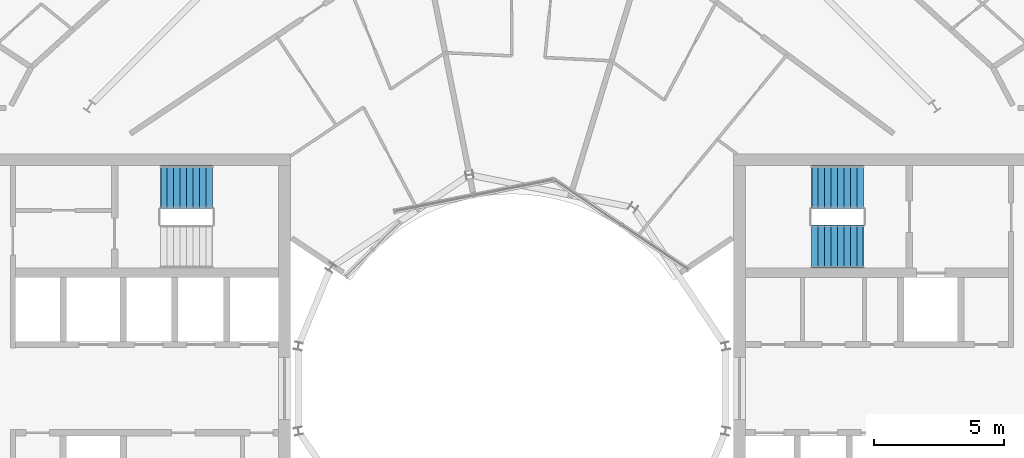
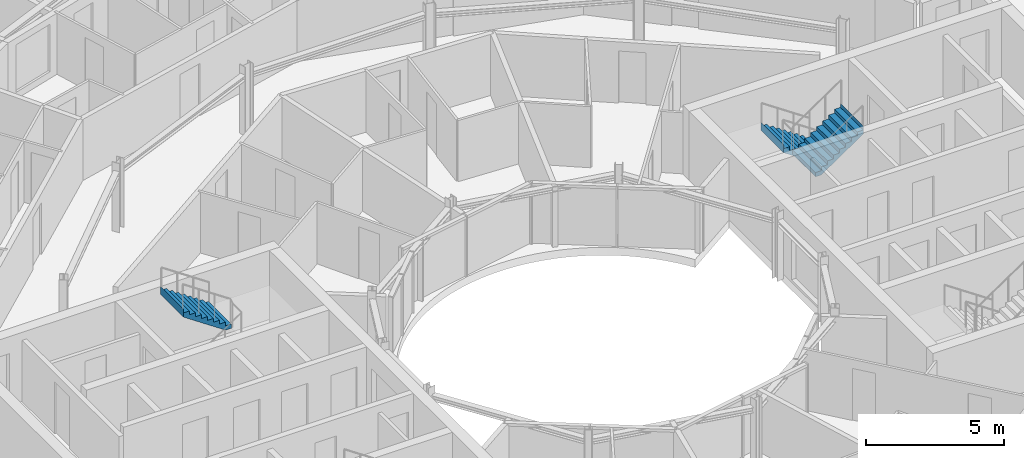
# One storey, part 27 of 29: 3 stair flights, 2 elements without a shape of their own.
"""IFC4 building model written with IfcOpenShell, lengths in metres."""

from ifc_helpers import new_model, si_unit, direction, frame, origin, place, context, subcontext, project, spatial, triangles, material, type_object, element, aggregate, save


model = new_model("IFC4")

# Units and contexts
model_context = context("Model", 3, precision=1e-05, world=origin(), true_north=direction((0.0, 1.0)))
body_context = subcontext(model_context, "Body", "Model", "MODEL_VIEW")
ifc_project = project(units=[si_unit("LENGTHUNIT", "METRE"), si_unit("AREAUNIT", "SQUARE_METRE"), si_unit("VOLUMEUNIT", "CUBIC_METRE"), si_unit("PLANEANGLEUNIT", "RADIAN"), si_unit("MASSUNIT", "GRAM", prefix="KILO")], contexts=[model_context])

# Site, building, storey
site_placement = place(None, origin())
site = spatial("IfcSite", under=ifc_project, at=site_placement, CompositionType="ELEMENT")
building_placement = place(site_placement, origin())
building = spatial("IfcBuilding", under=site, at=building_placement, Name="Maasbend Ring Residences", CompositionType="ELEMENT")
storey_placement = place(building_placement, frame((0.0, 0.0, 190.199951171875)))
storey = spatial("IfcBuildingStorey", under=building, at=storey_placement, Name="L54", CompositionType="ELEMENT", Elevation=190.199951171875)

# Stair, stair flights
ifc_material_1 = material(Name="Concrete C40/50", Category="concrete")
stair_type = type_object("IfcStairType", Name="CORE STAIR 18 RISERS", PredefinedType="HALF_TURN_STAIR", material=ifc_material_1)
stair_1_placement = place(storey_placement, origin())
stair_1 = element("IfcStair", 1, at=stair_1_placement, inside=storey, type_object=stair_type, Name="L54 Exit stair ST-E1", PredefinedType="HALF_TURN_STAIR")
ifc_material_2 = material(Name="Concrete C40/50", Category="concrete")
stair_flight_type = type_object("IfcStairFlightType", Name="CORE STAIR FLIGHT 1650", PredefinedType="STRAIGHT", material=ifc_material_2)
stair_flight_1_placement = place(storey_placement, frame((13.550048828125, 7.77490234375, 0.0), z_axis=(0.0, 0.0, 1.0), x_axis=(-1.0, 0.0, 0.0)))
stair_flight_1 = element("IfcStairFlight", 2, at=stair_flight_1_placement, type_object=stair_flight_type, Name="ST-E1 flight 1", NumberOfRisers=9, NumberOfTreads=8, PredefinedType="STRAIGHT", RiserHeight=0.169444444, TreadLength=0.25, context=body_context, shape_type="Tessellation", body=[
    triangles([(0.24072265625, 0.824951171875, -0.02001953125), (2.0029296875, 0.824951171875, 1.174560546875), (2.0029296875, 0.824951171875, 1.52490234375), (1.989990234375, 0.824951171875, 1.35546875), (1.75, 0.824951171875, 1.35546875), (1.75, 0.824951171875, 1.18603515625), (1.5, 0.824951171875, 1.18603515625), (1.5, 0.824951171875, 1.0166015625), (1.25, 0.824951171875, 1.0166015625), (1.25, 0.824951171875, 0.84716796875), (1.0, 0.824951171875, 0.84716796875), (1.0, 0.824951171875, 0.677734375), (0.75, 0.824951171875, 0.677734375), (0.75, 0.824951171875, 0.50830078125), (0.5, 0.824951171875, 0.50830078125), (0.5, 0.824951171875, 0.3388671875), (0.25, 0.824951171875, 0.3388671875), (0.25, 0.824951171875, 0.16943359375), (0.0, 0.824951171875, 0.16943359375), (0.0, 0.824951171875, 0.0), (-0.0029296875, 0.824951171875, 0.0), (-0.0029296875, 0.824951171875, -0.02001953125), (0.24072265625, 0.27490234375, -0.02001953125), (2.0029296875, 0.27490234375, 1.174560546875), (2.0029296875, 0.27490234375, 1.52490234375), (1.989990234375, 0.27490234375, 1.35546875), (1.75, 0.27490234375, 1.35546875), (1.75, 0.27490234375, 1.18603515625), (1.5, 0.27490234375, 1.18603515625), (1.5, 0.27490234375, 1.0166015625), (1.25, 0.27490234375, 1.0166015625), (1.25, 0.27490234375, 0.84716796875), (1.0, 0.27490234375, 0.84716796875), (1.0, 0.27490234375, 0.677734375), (0.75, 0.27490234375, 0.677734375), (0.75, 0.27490234375, 0.50830078125), (0.5, 0.27490234375, 0.50830078125), (0.5, 0.27490234375, 0.3388671875), (0.25, 0.27490234375, 0.3388671875), (0.25, 0.27490234375, 0.16943359375), (0.0, 0.27490234375, 0.16943359375), (0.0, 0.27490234375, 0.0), (-0.0029296875, 0.27490234375, 0.0), (-0.0029296875, 0.27490234375, -0.02001953125), (0.24072265625, -0.27490234375, -0.02001953125), (2.0029296875, -0.27490234375, 1.174560546875), (2.0029296875, -0.27490234375, 1.52490234375), (1.989990234375, -0.27490234375, 1.35546875), (1.75, -0.27490234375, 1.35546875), (1.75, -0.27490234375, 1.18603515625), (1.5, -0.27490234375, 1.18603515625), (1.5, -0.27490234375, 1.0166015625), (1.25, -0.27490234375, 1.0166015625), (1.25, -0.27490234375, 0.84716796875), (1.0, -0.27490234375, 0.84716796875), (1.0, -0.27490234375, 0.677734375), (0.75, -0.27490234375, 0.677734375), (0.75, -0.27490234375, 0.50830078125), (0.5, -0.27490234375, 0.50830078125), (0.5, -0.27490234375, 0.3388671875), (0.25, -0.27490234375, 0.3388671875), (0.25, -0.27490234375, 0.16943359375), (0.0, -0.27490234375, 0.16943359375), (0.0, -0.27490234375, 0.0), (-0.0029296875, -0.27490234375, 0.0), (-0.0029296875, -0.27490234375, -0.02001953125), (0.24072265625, -0.824951171875, -0.02001953125), (2.0029296875, -0.824951171875, 1.174560546875), (2.0029296875, -0.824951171875, 1.52490234375), (1.989990234375, -0.824951171875, 1.35546875), (1.75, -0.824951171875, 1.35546875), (1.75, -0.824951171875, 1.18603515625), (1.5, -0.824951171875, 1.18603515625), (1.5, -0.824951171875, 1.0166015625), (1.25, -0.824951171875, 1.0166015625), (1.25, -0.824951171875, 0.84716796875), (1.0, -0.824951171875, 0.84716796875), (1.0, -0.824951171875, 0.677734375), (0.75, -0.824951171875, 0.677734375), (0.75, -0.824951171875, 0.50830078125), (0.5, -0.824951171875, 0.50830078125), (0.5, -0.824951171875, 0.3388671875), (0.25, -0.824951171875, 0.3388671875), (0.25, -0.824951171875, 0.16943359375), (0.0, -0.824951171875, 0.16943359375), (0.0, -0.824951171875, 0.0), (-0.0029296875, -0.824951171875, 0.0), (-0.0029296875, -0.824951171875, -0.02001953125)], [[1, 2, 24], [1, 24, 23], [23, 24, 46], [23, 46, 45], [45, 46, 68], [45, 68, 67], [2, 3, 25], [2, 25, 24], [24, 25, 47], [24, 47, 46], [46, 47, 69], [46, 69, 68], [3, 4, 26], [3, 26, 25], [25, 26, 48], [25, 48, 47], [47, 48, 70], [47, 70, 69], [4, 5, 27], [4, 27, 26], [26, 27, 49], [26, 49, 48], [48, 49, 71], [48, 71, 70], [5, 6, 28], [5, 28, 27], [27, 28, 50], [27, 50, 49], [49, 50, 72], [49, 72, 71], [6, 7, 29], [6, 29, 28], [28, 29, 51], [28, 51, 50], [50, 51, 73], [50, 73, 72], [7, 8, 30], [7, 30, 29], [29, 30, 52], [29, 52, 51], [51, 52, 74], [51, 74, 73], [8, 9, 31], [8, 31, 30], [30, 31, 53], [30, 53, 52], [52, 53, 75], [52, 75, 74], [9, 10, 32], [9, 32, 31], [31, 32, 54], [31, 54, 53], [53, 54, 76], [53, 76, 75], [10, 11, 33], [10, 33, 32], [32, 33, 55], [32, 55, 54], [54, 55, 77], [54, 77, 76], [11, 12, 34], [11, 34, 33], [33, 34, 56], [33, 56, 55], [55, 56, 78], [55, 78, 77], [12, 13, 35], [12, 35, 34], [34, 35, 57], [34, 57, 56], [56, 57, 79], [56, 79, 78], [13, 14, 36], [13, 36, 35], [35, 36, 58], [35, 58, 57], [57, 58, 80], [57, 80, 79], [14, 15, 37], [14, 37, 36], [36, 37, 59], [36, 59, 58], [58, 59, 81], [58, 81, 80], [15, 16, 38], [15, 38, 37], [37, 38, 60], [37, 60, 59], [59, 60, 82], [59, 82, 81], [16, 17, 39], [16, 39, 38], [38, 39, 61], [38, 61, 60], [60, 61, 83], [60, 83, 82], [17, 18, 40], [17, 40, 39], [39, 40, 62], [39, 62, 61], [61, 62, 84], [61, 84, 83], [18, 19, 41], [18, 41, 40], [40, 41, 63], [40, 63, 62], [62, 63, 85], [62, 85, 84], [19, 20, 42], [19, 42, 41], [41, 42, 64], [41, 64, 63], [63, 64, 86], [63, 86, 85], [20, 21, 43], [20, 43, 42], [42, 43, 65], [42, 65, 64], [64, 65, 87], [64, 87, 86], [21, 22, 44], [21, 44, 43], [43, 44, 66], [43, 66, 65], [65, 66, 88], [65, 88, 87], [22, 1, 23], [22, 23, 44], [44, 23, 45], [44, 45, 66], [66, 45, 67], [66, 67, 88], [22, 2, 1], [2, 4, 3], [2, 5, 4], [2, 6, 5], [22, 6, 2], [6, 8, 7], [22, 8, 6], [8, 10, 9], [22, 10, 8], [10, 12, 11], [22, 12, 10], [12, 14, 13], [22, 14, 12], [14, 16, 15], [22, 16, 14], [16, 18, 17], [22, 18, 16], [18, 20, 19], [22, 20, 18], [20, 22, 21], [88, 67, 68], [68, 69, 70], [68, 70, 71], [68, 71, 72], [88, 68, 72], [72, 73, 74], [88, 72, 74], [74, 75, 76], [88, 74, 76], [76, 77, 78], [88, 76, 78], [78, 79, 80], [88, 78, 80], [80, 81, 82], [88, 80, 82], [82, 83, 84], [88, 82, 84], [84, 85, 86], [88, 84, 86], [86, 87, 88]], closed=True),
])
stair_flight_2_placement = place(storey_placement, frame((11.550048828125, 5.47509765625, 1.525146484375), z_axis=(0.0, 0.0, 1.0), x_axis=(1.0, 0.0, 0.0)))
stair_flight_2 = element("IfcStairFlight", 3, at=stair_flight_2_placement, type_object=stair_flight_type, Name="ST-E1 flight 2", NumberOfRisers=9, NumberOfTreads=8, PredefinedType="STRAIGHT", RiserHeight=0.169444444, TreadLength=0.25, context=body_context, shape_type="Tessellation", body=[
    triangles([(0.24072265625, 0.824951171875, -0.02001953125), (2.0029296875, 0.824951171875, 1.174560546875), (2.0029296875, 0.824951171875, 1.52490234375), (1.989990234375, 0.824951171875, 1.35546875), (1.75, 0.824951171875, 1.35546875), (1.75, 0.824951171875, 1.18603515625), (1.5, 0.824951171875, 1.18603515625), (1.5, 0.824951171875, 1.0166015625), (1.25, 0.824951171875, 1.0166015625), (1.25, 0.824951171875, 0.84716796875), (1.0, 0.824951171875, 0.84716796875), (1.0, 0.824951171875, 0.677734375), (0.75, 0.824951171875, 0.677734375), (0.75, 0.824951171875, 0.50830078125), (0.5, 0.824951171875, 0.50830078125), (0.5, 0.824951171875, 0.3388671875), (0.25, 0.824951171875, 0.3388671875), (0.25, 0.824951171875, 0.16943359375), (0.0, 0.824951171875, 0.16943359375), (0.0, 0.824951171875, 0.0), (-0.0029296875, 0.824951171875, 0.0), (-0.0029296875, 0.824951171875, -0.02001953125), (0.24072265625, 0.27490234375, -0.02001953125), (2.0029296875, 0.27490234375, 1.174560546875), (2.0029296875, 0.27490234375, 1.52490234375), (1.989990234375, 0.27490234375, 1.35546875), (1.75, 0.27490234375, 1.35546875), (1.75, 0.27490234375, 1.18603515625), (1.5, 0.27490234375, 1.18603515625), (1.5, 0.27490234375, 1.0166015625), (1.25, 0.27490234375, 1.0166015625), (1.25, 0.27490234375, 0.84716796875), (1.0, 0.27490234375, 0.84716796875), (1.0, 0.27490234375, 0.677734375), (0.75, 0.27490234375, 0.677734375), (0.75, 0.27490234375, 0.50830078125), (0.5, 0.27490234375, 0.50830078125), (0.5, 0.27490234375, 0.3388671875), (0.25, 0.27490234375, 0.3388671875), (0.25, 0.27490234375, 0.16943359375), (0.0, 0.27490234375, 0.16943359375), (0.0, 0.27490234375, 0.0), (-0.0029296875, 0.27490234375, 0.0), (-0.0029296875, 0.27490234375, -0.02001953125), (0.24072265625, -0.27490234375, -0.02001953125), (2.0029296875, -0.27490234375, 1.174560546875), (2.0029296875, -0.27490234375, 1.52490234375), (1.989990234375, -0.27490234375, 1.35546875), (1.75, -0.27490234375, 1.35546875), (1.75, -0.27490234375, 1.18603515625), (1.5, -0.27490234375, 1.18603515625), (1.5, -0.27490234375, 1.0166015625), (1.25, -0.27490234375, 1.0166015625), (1.25, -0.27490234375, 0.84716796875), (1.0, -0.27490234375, 0.84716796875), (1.0, -0.27490234375, 0.677734375), (0.75, -0.27490234375, 0.677734375), (0.75, -0.27490234375, 0.50830078125), (0.5, -0.27490234375, 0.50830078125), (0.5, -0.27490234375, 0.3388671875), (0.25, -0.27490234375, 0.3388671875), (0.25, -0.27490234375, 0.16943359375), (0.0, -0.27490234375, 0.16943359375), (0.0, -0.27490234375, 0.0), (-0.0029296875, -0.27490234375, 0.0), (-0.0029296875, -0.27490234375, -0.02001953125), (0.24072265625, -0.824951171875, -0.02001953125), (2.0029296875, -0.824951171875, 1.174560546875), (2.0029296875, -0.824951171875, 1.52490234375), (1.989990234375, -0.824951171875, 1.35546875), (1.75, -0.824951171875, 1.35546875), (1.75, -0.824951171875, 1.18603515625), (1.5, -0.824951171875, 1.18603515625), (1.5, -0.824951171875, 1.0166015625), (1.25, -0.824951171875, 1.0166015625), (1.25, -0.824951171875, 0.84716796875), (1.0, -0.824951171875, 0.84716796875), (1.0, -0.824951171875, 0.677734375), (0.75, -0.824951171875, 0.677734375), (0.75, -0.824951171875, 0.50830078125), (0.5, -0.824951171875, 0.50830078125), (0.5, -0.824951171875, 0.3388671875), (0.25, -0.824951171875, 0.3388671875), (0.25, -0.824951171875, 0.16943359375), (0.0, -0.824951171875, 0.16943359375), (0.0, -0.824951171875, 0.0), (-0.0029296875, -0.824951171875, 0.0), (-0.0029296875, -0.824951171875, -0.02001953125)], [[1, 2, 24], [1, 24, 23], [23, 24, 46], [23, 46, 45], [45, 46, 68], [45, 68, 67], [2, 3, 25], [2, 25, 24], [24, 25, 47], [24, 47, 46], [46, 47, 69], [46, 69, 68], [3, 4, 26], [3, 26, 25], [25, 26, 48], [25, 48, 47], [47, 48, 70], [47, 70, 69], [4, 5, 27], [4, 27, 26], [26, 27, 49], [26, 49, 48], [48, 49, 71], [48, 71, 70], [5, 6, 28], [5, 28, 27], [27, 28, 50], [27, 50, 49], [49, 50, 72], [49, 72, 71], [6, 7, 29], [6, 29, 28], [28, 29, 51], [28, 51, 50], [50, 51, 73], [50, 73, 72], [7, 8, 30], [7, 30, 29], [29, 30, 52], [29, 52, 51], [51, 52, 74], [51, 74, 73], [8, 9, 31], [8, 31, 30], [30, 31, 53], [30, 53, 52], [52, 53, 75], [52, 75, 74], [9, 10, 32], [9, 32, 31], [31, 32, 54], [31, 54, 53], [53, 54, 76], [53, 76, 75], [10, 11, 33], [10, 33, 32], [32, 33, 55], [32, 55, 54], [54, 55, 77], [54, 77, 76], [11, 12, 34], [11, 34, 33], [33, 34, 56], [33, 56, 55], [55, 56, 78], [55, 78, 77], [12, 13, 35], [12, 35, 34], [34, 35, 57], [34, 57, 56], [56, 57, 79], [56, 79, 78], [13, 14, 36], [13, 36, 35], [35, 36, 58], [35, 58, 57], [57, 58, 80], [57, 80, 79], [14, 15, 37], [14, 37, 36], [36, 37, 59], [36, 59, 58], [58, 59, 81], [58, 81, 80], [15, 16, 38], [15, 38, 37], [37, 38, 60], [37, 60, 59], [59, 60, 82], [59, 82, 81], [16, 17, 39], [16, 39, 38], [38, 39, 61], [38, 61, 60], [60, 61, 83], [60, 83, 82], [17, 18, 40], [17, 40, 39], [39, 40, 62], [39, 62, 61], [61, 62, 84], [61, 84, 83], [18, 19, 41], [18, 41, 40], [40, 41, 63], [40, 63, 62], [62, 63, 85], [62, 85, 84], [19, 20, 42], [19, 42, 41], [41, 42, 64], [41, 64, 63], [63, 64, 86], [63, 86, 85], [20, 21, 43], [20, 43, 42], [42, 43, 65], [42, 65, 64], [64, 65, 87], [64, 87, 86], [21, 22, 44], [21, 44, 43], [43, 44, 66], [43, 66, 65], [65, 66, 88], [65, 88, 87], [22, 1, 23], [22, 23, 44], [44, 23, 45], [44, 45, 66], [66, 45, 67], [66, 67, 88], [22, 2, 1], [2, 4, 3], [2, 5, 4], [2, 6, 5], [22, 6, 2], [6, 8, 7], [22, 8, 6], [8, 10, 9], [22, 10, 8], [10, 12, 11], [22, 12, 10], [12, 14, 13], [22, 14, 12], [14, 16, 15], [22, 16, 14], [16, 18, 17], [22, 18, 16], [18, 20, 19], [22, 20, 18], [20, 22, 21], [88, 67, 68], [68, 69, 70], [68, 70, 71], [68, 71, 72], [88, 68, 72], [72, 73, 74], [88, 72, 74], [74, 75, 76], [88, 74, 76], [76, 77, 78], [88, 76, 78], [78, 79, 80], [88, 78, 80], [80, 81, 82], [88, 80, 82], [82, 83, 84], [88, 82, 84], [84, 85, 86], [88, 84, 86], [86, 87, 88]], closed=True),
])
aggregate(stair_1, [stair_flight_1, stair_flight_2])

# Stair, stair flight
stair_2_placement = place(storey_placement, origin())
stair_2 = element("IfcStair", 4, at=stair_2_placement, inside=storey, type_object=stair_type, Name="L54 Exit stair ST-W2", PredefinedType="HALF_TURN_STAIR")
stair_flight_3_placement = place(storey_placement, frame((-11.550048828125, 7.77490234375, 1.525146484375), z_axis=(0.0, 0.0, 1.0), x_axis=(-1.0, 0.0, 0.0)))
stair_flight_3 = element("IfcStairFlight", 5, at=stair_flight_3_placement, type_object=stair_flight_type, Name="ST-W2 flight 2", NumberOfRisers=9, NumberOfTreads=8, PredefinedType="STRAIGHT", RiserHeight=0.169444444, TreadLength=0.25, context=body_context, shape_type="Tessellation", body=[
    triangles([(0.24072265625, 0.824951171875, -0.02001953125), (2.0029296875, 0.824951171875, 1.174560546875), (2.0029296875, 0.824951171875, 1.52490234375), (1.989990234375, 0.824951171875, 1.35546875), (1.75, 0.824951171875, 1.35546875), (1.75, 0.824951171875, 1.18603515625), (1.5, 0.824951171875, 1.18603515625), (1.5, 0.824951171875, 1.0166015625), (1.25, 0.824951171875, 1.0166015625), (1.25, 0.824951171875, 0.84716796875), (1.0, 0.824951171875, 0.84716796875), (1.0, 0.824951171875, 0.677734375), (0.75, 0.824951171875, 0.677734375), (0.75, 0.824951171875, 0.50830078125), (0.5, 0.824951171875, 0.50830078125), (0.5, 0.824951171875, 0.3388671875), (0.25, 0.824951171875, 0.3388671875), (0.25, 0.824951171875, 0.16943359375), (0.0, 0.824951171875, 0.16943359375), (0.0, 0.824951171875, 0.0), (-0.0029296875, 0.824951171875, 0.0), (-0.0029296875, 0.824951171875, -0.02001953125), (0.24072265625, 0.27490234375, -0.02001953125), (2.0029296875, 0.27490234375, 1.174560546875), (2.0029296875, 0.27490234375, 1.52490234375), (1.989990234375, 0.27490234375, 1.35546875), (1.75, 0.27490234375, 1.35546875), (1.75, 0.27490234375, 1.18603515625), (1.5, 0.27490234375, 1.18603515625), (1.5, 0.27490234375, 1.0166015625), (1.25, 0.27490234375, 1.0166015625), (1.25, 0.27490234375, 0.84716796875), (1.0, 0.27490234375, 0.84716796875), (1.0, 0.27490234375, 0.677734375), (0.75, 0.27490234375, 0.677734375), (0.75, 0.27490234375, 0.50830078125), (0.5, 0.27490234375, 0.50830078125), (0.5, 0.27490234375, 0.3388671875), (0.25, 0.27490234375, 0.3388671875), (0.25, 0.27490234375, 0.16943359375), (0.0, 0.27490234375, 0.16943359375), (0.0, 0.27490234375, 0.0), (-0.0029296875, 0.27490234375, 0.0), (-0.0029296875, 0.27490234375, -0.02001953125), (0.24072265625, -0.27490234375, -0.02001953125), (2.0029296875, -0.27490234375, 1.174560546875), (2.0029296875, -0.27490234375, 1.52490234375), (1.989990234375, -0.27490234375, 1.35546875), (1.75, -0.27490234375, 1.35546875), (1.75, -0.27490234375, 1.18603515625), (1.5, -0.27490234375, 1.18603515625), (1.5, -0.27490234375, 1.0166015625), (1.25, -0.27490234375, 1.0166015625), (1.25, -0.27490234375, 0.84716796875), (1.0, -0.27490234375, 0.84716796875), (1.0, -0.27490234375, 0.677734375), (0.75, -0.27490234375, 0.677734375), (0.75, -0.27490234375, 0.50830078125), (0.5, -0.27490234375, 0.50830078125), (0.5, -0.27490234375, 0.3388671875), (0.25, -0.27490234375, 0.3388671875), (0.25, -0.27490234375, 0.16943359375), (0.0, -0.27490234375, 0.16943359375), (0.0, -0.27490234375, 0.0), (-0.0029296875, -0.27490234375, 0.0), (-0.0029296875, -0.27490234375, -0.02001953125), (0.24072265625, -0.824951171875, -0.02001953125), (2.0029296875, -0.824951171875, 1.174560546875), (2.0029296875, -0.824951171875, 1.52490234375), (1.989990234375, -0.824951171875, 1.35546875), (1.75, -0.824951171875, 1.35546875), (1.75, -0.824951171875, 1.18603515625), (1.5, -0.824951171875, 1.18603515625), (1.5, -0.824951171875, 1.0166015625), (1.25, -0.824951171875, 1.0166015625), (1.25, -0.824951171875, 0.84716796875), (1.0, -0.824951171875, 0.84716796875), (1.0, -0.824951171875, 0.677734375), (0.75, -0.824951171875, 0.677734375), (0.75, -0.824951171875, 0.50830078125), (0.5, -0.824951171875, 0.50830078125), (0.5, -0.824951171875, 0.3388671875), (0.25, -0.824951171875, 0.3388671875), (0.25, -0.824951171875, 0.16943359375), (0.0, -0.824951171875, 0.16943359375), (0.0, -0.824951171875, 0.0), (-0.0029296875, -0.824951171875, 0.0), (-0.0029296875, -0.824951171875, -0.02001953125)], [[1, 2, 24], [1, 24, 23], [23, 24, 46], [23, 46, 45], [45, 46, 68], [45, 68, 67], [2, 3, 25], [2, 25, 24], [24, 25, 47], [24, 47, 46], [46, 47, 69], [46, 69, 68], [3, 4, 26], [3, 26, 25], [25, 26, 48], [25, 48, 47], [47, 48, 70], [47, 70, 69], [4, 5, 27], [4, 27, 26], [26, 27, 49], [26, 49, 48], [48, 49, 71], [48, 71, 70], [5, 6, 28], [5, 28, 27], [27, 28, 50], [27, 50, 49], [49, 50, 72], [49, 72, 71], [6, 7, 29], [6, 29, 28], [28, 29, 51], [28, 51, 50], [50, 51, 73], [50, 73, 72], [7, 8, 30], [7, 30, 29], [29, 30, 52], [29, 52, 51], [51, 52, 74], [51, 74, 73], [8, 9, 31], [8, 31, 30], [30, 31, 53], [30, 53, 52], [52, 53, 75], [52, 75, 74], [9, 10, 32], [9, 32, 31], [31, 32, 54], [31, 54, 53], [53, 54, 76], [53, 76, 75], [10, 11, 33], [10, 33, 32], [32, 33, 55], [32, 55, 54], [54, 55, 77], [54, 77, 76], [11, 12, 34], [11, 34, 33], [33, 34, 56], [33, 56, 55], [55, 56, 78], [55, 78, 77], [12, 13, 35], [12, 35, 34], [34, 35, 57], [34, 57, 56], [56, 57, 79], [56, 79, 78], [13, 14, 36], [13, 36, 35], [35, 36, 58], [35, 58, 57], [57, 58, 80], [57, 80, 79], [14, 15, 37], [14, 37, 36], [36, 37, 59], [36, 59, 58], [58, 59, 81], [58, 81, 80], [15, 16, 38], [15, 38, 37], [37, 38, 60], [37, 60, 59], [59, 60, 82], [59, 82, 81], [16, 17, 39], [16, 39, 38], [38, 39, 61], [38, 61, 60], [60, 61, 83], [60, 83, 82], [17, 18, 40], [17, 40, 39], [39, 40, 62], [39, 62, 61], [61, 62, 84], [61, 84, 83], [18, 19, 41], [18, 41, 40], [40, 41, 63], [40, 63, 62], [62, 63, 85], [62, 85, 84], [19, 20, 42], [19, 42, 41], [41, 42, 64], [41, 64, 63], [63, 64, 86], [63, 86, 85], [20, 21, 43], [20, 43, 42], [42, 43, 65], [42, 65, 64], [64, 65, 87], [64, 87, 86], [21, 22, 44], [21, 44, 43], [43, 44, 66], [43, 66, 65], [65, 66, 88], [65, 88, 87], [22, 1, 23], [22, 23, 44], [44, 23, 45], [44, 45, 66], [66, 45, 67], [66, 67, 88], [22, 2, 1], [2, 4, 3], [2, 5, 4], [2, 6, 5], [22, 6, 2], [6, 8, 7], [22, 8, 6], [8, 10, 9], [22, 10, 8], [10, 12, 11], [22, 12, 10], [12, 14, 13], [22, 14, 12], [14, 16, 15], [22, 16, 14], [16, 18, 17], [22, 18, 16], [18, 20, 19], [22, 20, 18], [20, 22, 21], [88, 67, 68], [68, 69, 70], [68, 70, 71], [68, 71, 72], [88, 68, 72], [72, 73, 74], [88, 72, 74], [74, 75, 76], [88, 74, 76], [76, 77, 78], [88, 76, 78], [78, 79, 80], [88, 78, 80], [80, 81, 82], [88, 80, 82], [82, 83, 84], [88, 82, 84], [84, 85, 86], [88, 84, 86], [86, 87, 88]], closed=True),
])
aggregate(stair_2, [stair_flight_3])

save(model, "model.ifc")
